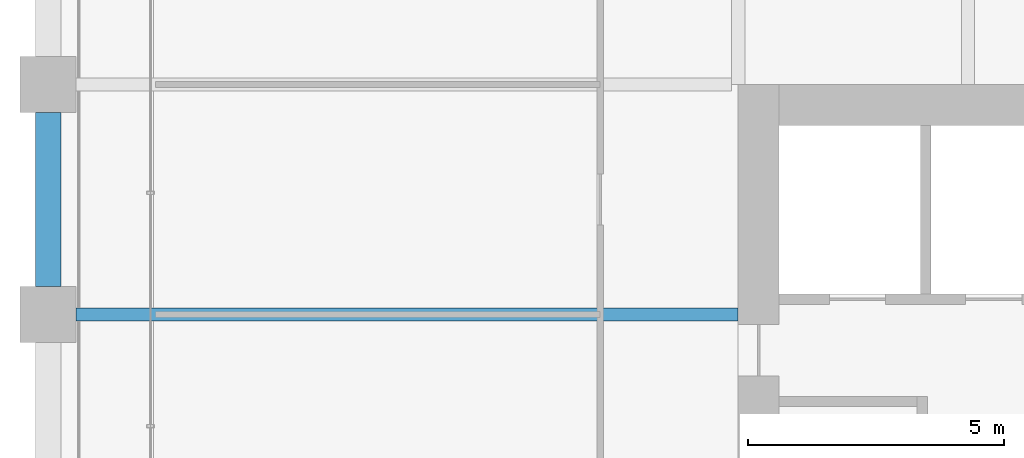
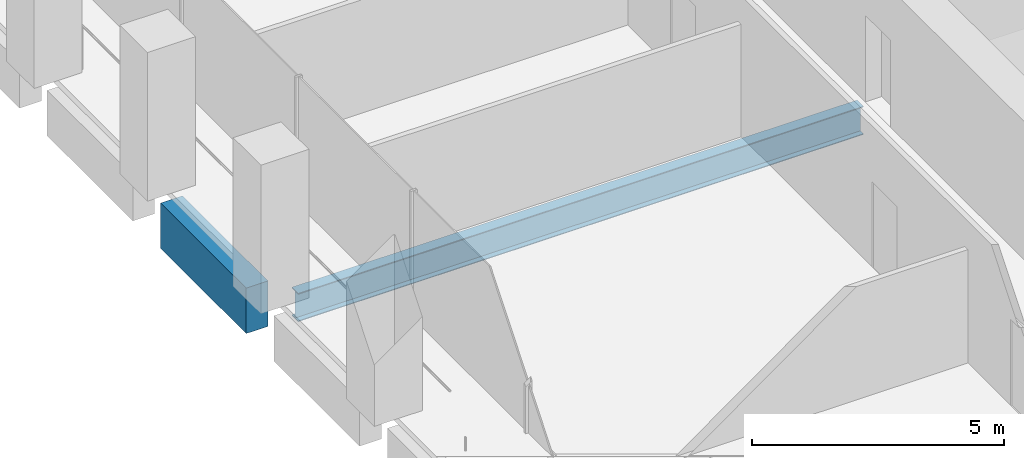
# One storey, part 13 of 56: 2 beams.
"""IFC4 building model written with IfcOpenShell, lengths in metres."""

from ifc_helpers import new_model, si_unit, direction, frame, origin, origin_2d, place, context, subcontext, project, spatial, rectangle, i_section, extrude, material, material_profile, profile_set, type_object, element, save


model = new_model("IFC4")

# Units and contexts
model_context = context("Model", 3, precision=1e-05, world=origin(), true_north=direction((0.0, 1.0)))
body_context = subcontext(model_context, "Body", "Model", "MODEL_VIEW")
ifc_project = project(units=[si_unit("LENGTHUNIT", "METRE"), si_unit("AREAUNIT", "SQUARE_METRE"), si_unit("VOLUMEUNIT", "CUBIC_METRE"), si_unit("PLANEANGLEUNIT", "RADIAN"), si_unit("MASSUNIT", "GRAM", prefix="KILO")], contexts=[model_context])

# Site, building, storey
site_placement = place(None, origin())
site = spatial("IfcSite", under=ifc_project, at=site_placement, CompositionType="ELEMENT")
building_placement = place(site_placement, origin())
building = spatial("IfcBuilding", under=site, at=building_placement, Name="Altepetl Exchange Towers", CompositionType="ELEMENT")
storey_placement = place(building_placement, frame((0.0, 0.0, 54.60009765625)))
storey = spatial("IfcBuildingStorey", under=building, at=storey_placement, Name="L12", CompositionType="ELEMENT", Elevation=54.60009765625)

# Beams
ifc_material_1 = material(Name="Steel S355", Category="steel")
ifc_material_profile_1 = material_profile(ifc_material_1, i_section(OverallWidth=0.25390625, OverallDepth=0.68408203125, WebThickness=0.012451171875, FlangeThickness=0.018798828125, at=origin_2d()), Name="W27X94")
ifc_profile_set_1 = profile_set([ifc_material_profile_1], Name="Steel S355")
beam_type_1 = type_object("IfcBeamType", Name="Floor beam W27X94", PredefinedType="BEAM", material=ifc_profile_set_1)
beam_1_placement = place(storey_placement, frame((27.550048828125, 54.0, -0.4921875), z_axis=(1.0, 0.0, 0.0), x_axis=(0.0, 1.0, 0.0)))
element("IfcBeam", 1, at=beam_1_placement, inside=storey, type_object=beam_type_1, Name="bm:A:L12:020", PredefinedType="BEAM", context=body_context, shape_type="SweptSolid", body=[
    extrude(i_section(OverallWidth=0.25390625, OverallDepth=0.68408203125, WebThickness=0.012451171875, FlangeThickness=0.018798828125, at=origin_2d()), origin(), (0.0, 0.0, 1.0), 12.949951171875),
])
ifc_material_2 = material(Name="Concrete C50/60 precast with tezontle facing", Category="concrete")
ifc_material_profile_2 = material_profile(ifc_material_2, rectangle(XDim=0.5, YDim=1.10009765625, at=origin_2d()), Name="500 x 1100")
ifc_profile_set_2 = profile_set([ifc_material_profile_2], Name="Concrete C50/60 precast with tezontle facing")
beam_type_2 = type_object("IfcBeamType", Name="Spandrel beam 500x1100 tezontle", PredefinedType="SPANDREL", material=ifc_profile_set_2)
beam_2_placement = place(storey_placement, frame((27.0, 57.949951171875, -0.7001953125), z_axis=(0.0, -1.0, 0.0), x_axis=(1.0, 0.0, 0.0)))
element("IfcBeam", 2, at=beam_2_placement, inside=storey, type_object=beam_type_2, Name="sp:A:L12:038", PredefinedType="SPANDREL", context=body_context, shape_type="SweptSolid", body=[
    extrude(rectangle(XDim=0.5, YDim=1.10009765625, at=origin_2d()), origin(), (0.0, 0.0, 1.0), 3.39990234375),
])

save(model, "model.ifc")
